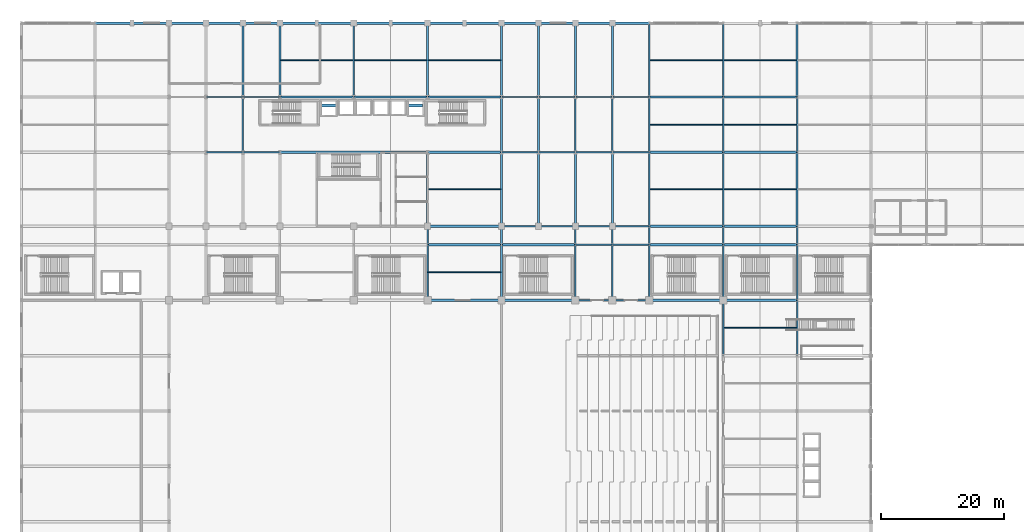
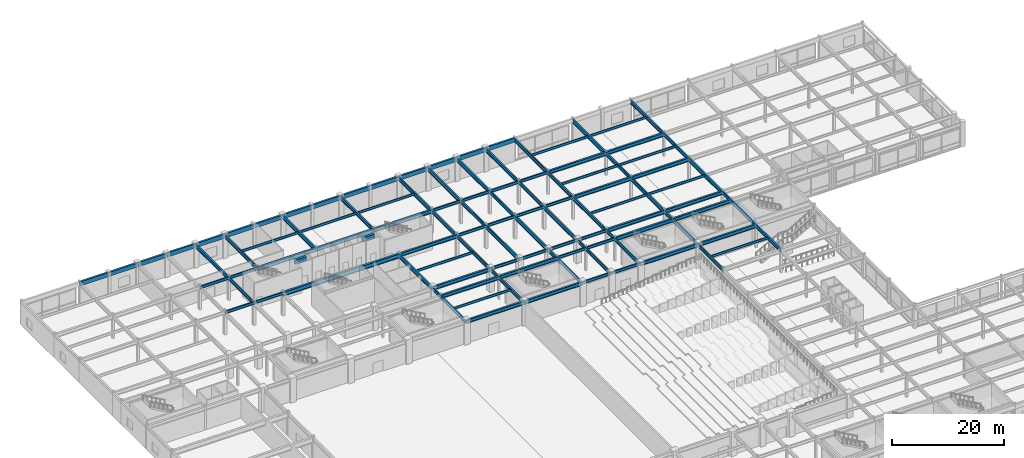
# One storey, part 35 of 100: 108 beams.
"""IFC4 building model written with IfcOpenShell, lengths in metres."""

import ifcopenshell
import ifcopenshell.guid

model = None  # the IFC model being written
_history = None  # IfcOwnerHistory: only IFC2X3 demands one
_inside = {}  # id of a spatial element -> (the spatial element, [elements in it])
_under = {}  # id of a project, library or spatial element -> (it, [spatial elements below it])
_declared = {}  # id of a project -> (the project, [libraries it declares])
_typed = {}  # id of a type object -> (the type object, [elements of that type])
_made_of = {}  # id of a material, layer set ... -> (it, [elements and type objects made of it])


def new_model(schema):
    """Start an empty IFC model of exactly this schema.

    Asked for "IFC4X3", IfcOpenShell would pick the latest addendum, in which some entities
    have other attributes; the version numbers below select the first issue.
    IFC2X3 requires an IfcOwnerHistory on every rooted entity: one is made here for all.
    """
    global model, _history
    if schema == "IFC4X3":
        model = ifcopenshell.file(schema_version=(4, 3, 0, 0))
    else:
        model = ifcopenshell.file(schema=schema)
    _inside.clear()
    _under.clear()
    _declared.clear()
    _typed.clear()
    _made_of.clear()
    _history = None
    if model.schema == "IFC2X3":
        org = make("IfcOrganization", Name="unknown")
        user = make(
            "IfcPersonAndOrganization",
            ThePerson=make("IfcPerson", FamilyName="unknown"),
            TheOrganization=org,
        )
        app = make(
            "IfcApplication",
            ApplicationDeveloper=org,
            Version="unknown",
            ApplicationFullName="unknown",
            ApplicationIdentifier="unknown",
        )
        _history = make(
            "IfcOwnerHistory",
            OwningUser=user,
            OwningApplication=app,
            ChangeAction="ADDED",
            CreationDate=0,
        )
    return model


def make(cls, **values):
    """One entity of the class cls with the attributes given. An attribute that is None is left unset."""
    return model.create_entity(
        cls, **{name: value for name, value in values.items() if value is not None}
    )


def rooted(cls, **values):
    """An entity with a GlobalId (a new one), such as an element, a storey or a relation."""
    return make(cls, GlobalId=ifcopenshell.guid.new(), OwnerHistory=_history, **values)


def si_unit(unit_type, name, prefix=None):
    """IfcSIUnit, for example si_unit("LENGTHUNIT", "METRE", prefix="MILLI")."""
    return make("IfcSIUnit", UnitType=unit_type, Prefix=prefix, Name=name)


def assignment(units):
    """IfcUnitAssignment: the units of a project."""
    return None if units is None else make("IfcUnitAssignment", Units=units)


def point(xyz):
    """IfcCartesianPoint."""
    return None if xyz is None else make("IfcCartesianPoint", Coordinates=xyz)


def direction(xyz):
    """IfcDirection."""
    return None if xyz is None else make("IfcDirection", DirectionRatios=xyz)


def frame(location, z_axis=None, x_axis=None):
    """IfcAxis2Placement3D, a coordinate frame: its origin and axes. An axis left out is left unset."""
    return make(
        "IfcAxis2Placement3D",
        Location=point(location),
        Axis=direction(z_axis),
        RefDirection=direction(x_axis),
    )


def frame_2d(location, x_axis=None):
    """IfcAxis2Placement2D, a coordinate frame in the plane: its origin and x axis."""
    return make(
        "IfcAxis2Placement2D", Location=point(location), RefDirection=direction(x_axis)
    )


def origin():
    """The frame at (0, 0, 0) with its axes left unset."""
    return frame((0.0, 0.0, 0.0))


def origin_2d():
    """The frame at (0, 0) in the plane with its x axis left unset."""
    return frame_2d((0.0, 0.0))


def place(relative_to, where):
    """IfcLocalPlacement: puts the frame where relative to a parent placement (None: the world)."""
    return make(
        "IfcLocalPlacement", PlacementRelTo=relative_to, RelativePlacement=where
    )


def context(
    kind, dimensions, precision=None, world=None, true_north=None, identifier=None
):
    """IfcGeometricRepresentationContext, for example the 3D "Model" context."""
    return make(
        "IfcGeometricRepresentationContext",
        ContextIdentifier=identifier,
        ContextType=kind,
        CoordinateSpaceDimension=dimensions,
        Precision=precision,
        WorldCoordinateSystem=world,
        TrueNorth=true_north,
    )


def subcontext(parent, identifier, kind, view, scale=None):
    """IfcGeometricRepresentationSubContext, for example "Body" below "Model"."""
    return make(
        "IfcGeometricRepresentationSubContext",
        ContextIdentifier=identifier,
        ContextType=kind,
        ParentContext=parent,
        TargetScale=scale,
        TargetView=view,
    )


def project(units=None, contexts=None):
    """IfcProject with its units and contexts."""
    return rooted(
        "IfcProject",
        Name="project",
        RepresentationContexts=contexts,
        UnitsInContext=assignment(units),
    )


def spatial(cls, under=None, at=None, **own):
    """A site, building, storey or space (cls), placed at a placement, below another one or the project."""
    s = rooted(cls, ObjectPlacement=at, **own)
    if under is not None:
        _under.setdefault(under.id(), (under, []))[1].append(s)
    return s


def profile(cls, at=None, kind="AREA", **sizes):
    """A parametric profile (cls). Its sizes go by their IFC names, for example OverallWidth=200.0."""
    return make(cls, ProfileType=kind, Position=at, **sizes)


def rectangle(**sizes):
    """IfcRectangleProfileDef."""
    return profile("IfcRectangleProfileDef", **sizes)


def i_section(**sizes):
    """IfcIShapeProfileDef."""
    return profile("IfcIShapeProfileDef", **sizes)


def extrude(swept, where, along, depth):
    """IfcExtrudedAreaSolid: the profile swept, set in the frame where, extruded along a direction by depth."""
    return make(
        "IfcExtrudedAreaSolid",
        SweptArea=swept,
        Position=where,
        ExtrudedDirection=direction(along),
        Depth=depth,
    )


def shape(context_of_items, identifier, shape_type, items):
    """IfcShapeRepresentation: the items that make up one representation, for example the "Body"."""
    return make(
        "IfcShapeRepresentation",
        ContextOfItems=context_of_items,
        RepresentationIdentifier=identifier,
        RepresentationType=shape_type,
        Items=items,
    )


def material(Name=None, Category=None):
    """IfcMaterial."""
    return make("IfcMaterial", Name=Name, Category=Category)


def material_profile(
    of_material, cross_section, Name=None, Category=None, Priority=None
):
    """IfcMaterialProfile: a cross section and its material."""
    return make(
        "IfcMaterialProfile",
        Name=Name,
        Material=of_material,
        Profile=cross_section,
        Priority=Priority,
        Category=Category,
    )


def profile_set(profiles, Name=None, composite=None):
    """IfcMaterialProfileSet."""
    return make(
        "IfcMaterialProfileSet",
        Name=Name,
        MaterialProfiles=profiles,
        CompositeProfile=composite,
    )


def made_of(thing, what):
    """Note that an element or type object is made of a material, layer set ...; save() writes the relation."""
    if what is not None:
        _made_of.setdefault(what.id(), (what, []))[1].append(thing)
    return thing


def type_object(cls, material=None, **own):
    """A type object (cls), such as IfcWallType, which elements share."""
    return made_of(rooted(cls, **own), material)


def element(
    cls,
    number,
    at=None,
    inside=None,
    cuts=None,
    type_object=None,
    material=None,
    context=None,
    identifier="Body",
    shape_type=None,
    held_by="IfcProductDefinitionShape",
    body=None,
    shapes=None,
    **own,
):
    """One element of the class cls, such as IfcWall. Its Tag is "e" and its number.

    at: its placement. inside: the storey or other place that contains it. cuts: it is an
    opening in that element (IfcRelVoidsElement). A single representation is given by context,
    identifier, shape_type and body (its items); several are given by shapes. held_by: the class
    of the entity that holds the representations. save() writes the other relations.
    """
    e = rooted(cls, Tag="e%d" % number, ObjectPlacement=at, **own)
    if body is not None:
        shapes = [shape(context, identifier, shape_type, body)]
    if shapes is not None:
        e.Representation = make(held_by, Representations=shapes)
    if inside is not None:
        _inside.setdefault(inside.id(), (inside, []))[1].append(e)
    if cuts is not None:
        rooted(
            "IfcRelVoidsElement", RelatingBuildingElement=cuts, RelatedOpeningElement=e
        )
    if type_object is not None:
        _typed.setdefault(type_object.id(), (type_object, []))[1].append(e)
    return made_of(e, material)


def aggregate(whole, parts):
    """IfcRelAggregates: a whole, such as a stair, and the parts it consists of."""
    return rooted("IfcRelAggregates", RelatingObject=whole, RelatedObjects=parts)


def save(model, path):
    """Write the relations noted so far, then the file.

    IfcRelAggregates (storeys below a building ...), IfcRelContainedInSpatialStructure (elements
    in a storey), IfcRelDefinesByType, IfcRelAssociatesMaterial and IfcRelDeclares: one each for
    every whole, place, type object, material and project.
    """
    for whole, parts in _under.values():
        aggregate(whole, parts)
    for where, things in _inside.values():
        rooted(
            "IfcRelContainedInSpatialStructure",
            RelatedElements=things,
            RelatingStructure=where,
        )
    for kind, things in _typed.values():
        rooted("IfcRelDefinesByType", RelatedObjects=things, RelatingType=kind)
    for what, things in _made_of.values():
        rooted("IfcRelAssociatesMaterial", RelatedObjects=things, RelatingMaterial=what)
    for by, libraries in _declared.values():
        rooted("IfcRelDeclares", RelatingContext=by, RelatedDefinitions=libraries)
    model.write(path)


model = new_model("IFC4")

# Units and contexts
model_context = context("Model", 3, precision=1e-05, world=origin(), true_north=direction((0.0, 1.0)))
body_context = subcontext(model_context, "Body", "Model", "MODEL_VIEW")
ifc_project = project(units=[si_unit("LENGTHUNIT", "METRE"), si_unit("AREAUNIT", "SQUARE_METRE"), si_unit("VOLUMEUNIT", "CUBIC_METRE"), si_unit("PLANEANGLEUNIT", "RADIAN"), si_unit("MASSUNIT", "GRAM", prefix="KILO")], contexts=[model_context])

# Site, building, storey
site_placement = place(None, origin())
site = spatial("IfcSite", under=ifc_project, at=site_placement, CompositionType="ELEMENT")
building_placement = place(site_placement, origin())
building = spatial("IfcBuilding", under=site, at=building_placement, Name="Kaldorvane Square Convention Centre", CompositionType="ELEMENT")
storey_placement = place(building_placement, frame((0.0, 0.0, 18.0)))
storey = spatial("IfcBuildingStorey", under=building, at=storey_placement, Name="L03", CompositionType="ELEMENT", Elevation=18.0)

# Beams
ifc_material_1 = material(Name="Steel ASTM A992 Gr. 50", Category="steel")
ifc_material_profile_1 = material_profile(ifc_material_1, i_section(OverallWidth=0.2303009033203125, OverallDepth=0.61749267578125, WebThickness=0.0131072998046875, FlangeThickness=0.0222015380859375, FilletRadius=0.0126953125, at=origin_2d()), Name="W24X94")
ifc_profile_set_1 = profile_set([ifc_material_profile_1], Name="Steel ASTM A992 Gr. 50")
beam_type_1 = type_object("IfcBeamType", Name="BM-GR-W24X94", PredefinedType="BEAM", material=ifc_profile_set_1)
for number, where, z_axis, x_axis, name in (
    (1, (90.0, 72.0, 4.7671966552734375), (1.0, 0.0, 0.0), (0.0, 1.0, 0.0), "Primary Girder (L03)"),
    (2, (96.0, 72.0, 4.7671966552734375), (1.0, 0.0, 0.0), (0.0, 1.0, 0.0), "Primary Girder (L03)"),
    (3, (90.0, 81.0, 4.7671966552734375), (1.0, 0.0, 0.0), (0.0, 1.0, 0.0), "Primary Girder (L03)"),
    (4, (96.0, 81.0, 4.7671966552734375), (1.0, 0.0, 0.0), (0.0, 1.0, 0.0), "Primary Girder (L03)"),
    (5, (78.0, 84.0, 4.7671966552734375), (1.0, 0.0, 0.0), (0.0, 1.0, 0.0), "Primary Girder (L03)"),
    (6, (84.0, 84.0, 4.7671966552734375), (1.0, 0.0, 0.0), (0.0, 1.0, 0.0), "Primary Girder (L03)"),
    (7, (90.0, 84.0, 4.7671966552734375), (1.0, 0.0, 0.0), (0.0, 1.0, 0.0), "Primary Girder (L03)"),
    (8, (96.0, 84.0, 4.7671966552734375), (1.0, 0.0, 0.0), (0.0, 1.0, 0.0), "Primary Girder (L03)"),
    (9, (30.0, 96.0, 4.7671966552734375), (1.0, 0.0, 0.0), (0.0, 1.0, 0.0), "Primary Girder (L03)"),
    (10, (36.0, 96.0, 4.7671966552734375), (1.0, 0.0, 0.0), (0.0, 1.0, 0.0), "Primary Girder (L03)"),
    (11, (78.0, 96.0, 4.7671966552734375), (1.0, 0.0, 0.0), (0.0, 1.0, 0.0), "Primary Girder (L03)"),
    (12, (84.0, 96.0, 4.7671966552734375), (1.0, 0.0, 0.0), (0.0, 1.0, 0.0), "Primary Girder (L03)"),
    (13, (90.0, 96.0, 4.7671966552734375), (1.0, 0.0, 0.0), (0.0, 1.0, 0.0), "Primary Girder (L03)"),
    (14, (96.0, 96.0, 4.7671966552734375), (1.0, 0.0, 0.0), (0.0, 1.0, 0.0), "Primary Girder (L03)"),
    (15, (30.0, 105.0, 4.7671966552734375), (1.0, 0.0, 0.0), (0.0, 1.0, 0.0), "Primary Girder (L03)"),
    (16, (36.0, 105.0, 4.7671966552734375), (1.0, 0.0, 0.0), (0.0, 1.0, 0.0), "Primary Girder (L03)"),
    (17, (78.0, 105.0, 4.7671966552734375), (1.0, 0.0, 0.0), (0.0, 1.0, 0.0), "Primary Girder (L03)"),
    (18, (84.0, 105.0, 4.7671966552734375), (1.0, 0.0, 0.0), (0.0, 1.0, 0.0), "Primary Girder (L03)"),
    (19, (90.0, 105.0, 4.7671966552734375), (1.0, 0.0, 0.0), (0.0, 1.0, 0.0), "Primary Girder (L03)"),
    (20, (96.0, 105.0, 4.7671966552734375), (1.0, 0.0, 0.0), (0.0, 1.0, 0.0), "Primary Girder (L03)"),
):
    element("IfcBeam", number, at=place(storey_placement, frame(where, z_axis=z_axis, x_axis=x_axis)), inside=storey, type_object=beam_type_1, Name=name, PredefinedType="BEAM", context=body_context, shape_type="SweptSolid", body=[
        extrude(i_section(OverallWidth=0.2303009033203125, OverallDepth=0.61749267578125, WebThickness=0.0131072998046875, FlangeThickness=0.0222015380859375, FilletRadius=0.0126953125, at=origin_2d()), origin(), (0.0, 0.0, 1.0), 6.0),
    ])
ifc_material_profile_2 = material_profile(ifc_material_1, i_section(OverallWidth=0.2666015625, OverallDepth=0.762298583984375, WebThickness=0.014404296875, FlangeThickness=0.0216064453125, FilletRadius=0.0164947509765625, at=origin_2d()), Name="W30X116")
ifc_profile_set_2 = profile_set([ifc_material_profile_2], Name="Steel ASTM A992 Gr. 50")
beam_type_2 = type_object("IfcBeamType", Name="BM-GR-W30X116", PredefinedType="BEAM", material=ifc_profile_set_2)
for number, where, z_axis, x_axis, name in (
    (21, (36.0, 96.0, 4.694793701171875), (0.0, 1.0, 0.0), (-1.0, 0.0, 0.0), "Transverse Girder (L03)"),
    (22, (66.0, 72.0, 4.694793701171875), (0.0, 1.0, 0.0), (-1.0, 0.0, 0.0), "Transverse Girder (L03)"),
):
    element("IfcBeam", number, at=place(storey_placement, frame(where, z_axis=z_axis, x_axis=x_axis)), inside=storey, type_object=beam_type_2, Name=name, PredefinedType="BEAM", context=body_context, shape_type="SweptSolid", body=[
        extrude(i_section(OverallWidth=0.2666015625, OverallDepth=0.762298583984375, WebThickness=0.014404296875, FlangeThickness=0.0216064453125, FilletRadius=0.0164947509765625, at=origin_2d()), origin(), (0.0, 0.0, 1.0), 9.0),
    ])
beam_1_placement = place(storey_placement, frame((66.0, 81.0, 4.694793701171875), z_axis=(0.0, 1.0, 0.0), x_axis=(-1.0, 0.0, 0.0)))
element("IfcBeam", 23, at=beam_1_placement, inside=storey, type_object=beam_type_2, Name="Transverse Girder (L03)", PredefinedType="BEAM", context=body_context, shape_type="SweptSolid", body=[
    extrude(i_section(OverallWidth=0.2666015625, OverallDepth=0.762298583984375, WebThickness=0.014404296875, FlangeThickness=0.0216064453125, FilletRadius=0.0164947509765625, at=origin_2d()), origin(), (0.0, 0.0, 1.0), 3.0),
])
beam_2_placement = place(storey_placement, frame((78.0, 72.0, 4.694793701171875), z_axis=(0.0, 1.0, 0.0), x_axis=(-1.0, 0.0, 0.0)))
element("IfcBeam", 24, at=beam_2_placement, inside=storey, type_object=beam_type_2, Name="Transverse Girder (L03)", PredefinedType="BEAM", context=body_context, shape_type="SweptSolid", body=[
    extrude(i_section(OverallWidth=0.2666015625, OverallDepth=0.762298583984375, WebThickness=0.014404296875, FlangeThickness=0.0216064453125, FilletRadius=0.0164947509765625, at=origin_2d()), origin(), (0.0, 0.0, 1.0), 9.0),
])
beam_3_placement = place(storey_placement, frame((78.0, 81.0, 4.694793701171875), z_axis=(0.0, 1.0, 0.0), x_axis=(-1.0, 0.0, 0.0)))
element("IfcBeam", 25, at=beam_3_placement, inside=storey, type_object=beam_type_2, Name="Transverse Girder (L03)", PredefinedType="BEAM", context=body_context, shape_type="SweptSolid", body=[
    extrude(i_section(OverallWidth=0.2666015625, OverallDepth=0.762298583984375, WebThickness=0.014404296875, FlangeThickness=0.0216064453125, FilletRadius=0.0164947509765625, at=origin_2d()), origin(), (0.0, 0.0, 1.0), 3.0),
])
for number, where, z_axis, x_axis, name in (
    (26, (78.0, 96.0, 4.694793701171875), (0.0, 1.0, 0.0), (-1.0, 0.0, 0.0), "Transverse Girder (L03)"),
    (27, (84.0, 96.0, 4.694793701171875), (0.0, 1.0, 0.0), (-1.0, 0.0, 0.0), "Transverse Girder (L03)"),
    (28, (90.0, 72.0, 4.694793701171875), (0.0, 1.0, 0.0), (-1.0, 0.0, 0.0), "Transverse Girder (L03)"),
):
    element("IfcBeam", number, at=place(storey_placement, frame(where, z_axis=z_axis, x_axis=x_axis)), inside=storey, type_object=beam_type_2, Name=name, PredefinedType="BEAM", context=body_context, shape_type="SweptSolid", body=[
        extrude(i_section(OverallWidth=0.2666015625, OverallDepth=0.762298583984375, WebThickness=0.014404296875, FlangeThickness=0.0216064453125, FilletRadius=0.0164947509765625, at=origin_2d()), origin(), (0.0, 0.0, 1.0), 9.0),
    ])
beam_4_placement = place(storey_placement, frame((90.0, 81.0, 4.694793701171875), z_axis=(0.0, 1.0, 0.0), x_axis=(-1.0, 0.0, 0.0)))
element("IfcBeam", 29, at=beam_4_placement, inside=storey, type_object=beam_type_2, Name="Transverse Girder (L03)", PredefinedType="BEAM", context=body_context, shape_type="SweptSolid", body=[
    extrude(i_section(OverallWidth=0.2666015625, OverallDepth=0.762298583984375, WebThickness=0.014404296875, FlangeThickness=0.0216064453125, FilletRadius=0.0164947509765625, at=origin_2d()), origin(), (0.0, 0.0, 1.0), 3.0),
])
for number, where, z_axis, x_axis, name in (
    (30, (90.0, 96.0, 4.694793701171875), (0.0, 1.0, 0.0), (-1.0, 0.0, 0.0), "Transverse Girder (L03)"),
    (31, (96.0, 72.0, 4.694793701171875), (0.0, 1.0, 0.0), (-1.0, 0.0, 0.0), "Transverse Girder (L03)"),
):
    element("IfcBeam", number, at=place(storey_placement, frame(where, z_axis=z_axis, x_axis=x_axis)), inside=storey, type_object=beam_type_2, Name=name, PredefinedType="BEAM", context=body_context, shape_type="SweptSolid", body=[
        extrude(i_section(OverallWidth=0.2666015625, OverallDepth=0.762298583984375, WebThickness=0.014404296875, FlangeThickness=0.0216064453125, FilletRadius=0.0164947509765625, at=origin_2d()), origin(), (0.0, 0.0, 1.0), 9.0),
    ])
beam_5_placement = place(storey_placement, frame((96.0, 81.0, 4.694793701171875), z_axis=(0.0, 1.0, 0.0), x_axis=(-1.0, 0.0, 0.0)))
element("IfcBeam", 32, at=beam_5_placement, inside=storey, type_object=beam_type_2, Name="Transverse Girder (L03)", PredefinedType="BEAM", context=body_context, shape_type="SweptSolid", body=[
    extrude(i_section(OverallWidth=0.2666015625, OverallDepth=0.762298583984375, WebThickness=0.014404296875, FlangeThickness=0.0216064453125, FilletRadius=0.0164947509765625, at=origin_2d()), origin(), (0.0, 0.0, 1.0), 3.0),
])
for number, where, z_axis, x_axis, name in (
    (33, (96.0, 96.0, 4.694793701171875), (0.0, 1.0, 0.0), (-1.0, 0.0, 0.0), "Transverse Girder (L03)"),
    (34, (102.0, 72.0, 4.694793701171875), (0.0, 1.0, 0.0), (-1.0, 0.0, 0.0), "Transverse Girder (L03)"),
):
    element("IfcBeam", number, at=place(storey_placement, frame(where, z_axis=z_axis, x_axis=x_axis)), inside=storey, type_object=beam_type_2, Name=name, PredefinedType="BEAM", context=body_context, shape_type="SweptSolid", body=[
        extrude(i_section(OverallWidth=0.2666015625, OverallDepth=0.762298583984375, WebThickness=0.014404296875, FlangeThickness=0.0216064453125, FilletRadius=0.0164947509765625, at=origin_2d()), origin(), (0.0, 0.0, 1.0), 9.0),
    ])
beam_6_placement = place(storey_placement, frame((102.0, 81.0, 4.694793701171875), z_axis=(0.0, 1.0, 0.0), x_axis=(-1.0, 0.0, 0.0)))
element("IfcBeam", 35, at=beam_6_placement, inside=storey, type_object=beam_type_2, Name="Transverse Girder (L03)", PredefinedType="BEAM", context=body_context, shape_type="SweptSolid", body=[
    extrude(i_section(OverallWidth=0.2666015625, OverallDepth=0.762298583984375, WebThickness=0.014404296875, FlangeThickness=0.0216064453125, FilletRadius=0.0164947509765625, at=origin_2d()), origin(), (0.0, 0.0, 1.0), 3.0),
])
for number, where, z_axis, x_axis, name in (
    (36, (102.0, 96.0, 4.694793701171875), (0.0, 1.0, 0.0), (-1.0, 0.0, 0.0), "Transverse Girder (L03)"),
    (37, (114.0, 63.0, 4.694793701171875), (0.0, 1.0, 0.0), (-1.0, 0.0, 0.0), "Transverse Girder (L03)"),
    (38, (114.0, 72.0, 4.694793701171875), (0.0, 1.0, 0.0), (-1.0, 0.0, 0.0), "Transverse Girder (L03)"),
):
    element("IfcBeam", number, at=place(storey_placement, frame(where, z_axis=z_axis, x_axis=x_axis)), inside=storey, type_object=beam_type_2, Name=name, PredefinedType="BEAM", context=body_context, shape_type="SweptSolid", body=[
        extrude(i_section(OverallWidth=0.2666015625, OverallDepth=0.762298583984375, WebThickness=0.014404296875, FlangeThickness=0.0216064453125, FilletRadius=0.0164947509765625, at=origin_2d()), origin(), (0.0, 0.0, 1.0), 9.0),
    ])
beam_7_placement = place(storey_placement, frame((114.0, 81.0, 4.694793701171875), z_axis=(0.0, 1.0, 0.0), x_axis=(-1.0, 0.0, 0.0)))
element("IfcBeam", 39, at=beam_7_placement, inside=storey, type_object=beam_type_2, Name="Transverse Girder (L03)", PredefinedType="BEAM", context=body_context, shape_type="SweptSolid", body=[
    extrude(i_section(OverallWidth=0.2666015625, OverallDepth=0.762298583984375, WebThickness=0.014404296875, FlangeThickness=0.0216064453125, FilletRadius=0.0164947509765625, at=origin_2d()), origin(), (0.0, 0.0, 1.0), 3.0),
])
for number, where, z_axis, x_axis, name in (
    (40, (114.0, 96.0, 4.694793701171875), (0.0, 1.0, 0.0), (-1.0, 0.0, 0.0), "Transverse Girder (L03)"),
    (41, (126.0, 63.0, 4.694793701171875), (0.0, 1.0, 0.0), (-1.0, 0.0, 0.0), "Transverse Girder (L03)"),
    (42, (126.0, 72.0, 4.694793701171875), (0.0, 1.0, 0.0), (-1.0, 0.0, 0.0), "Transverse Girder (L03)"),
):
    element("IfcBeam", number, at=place(storey_placement, frame(where, z_axis=z_axis, x_axis=x_axis)), inside=storey, type_object=beam_type_2, Name=name, PredefinedType="BEAM", context=body_context, shape_type="SweptSolid", body=[
        extrude(i_section(OverallWidth=0.2666015625, OverallDepth=0.762298583984375, WebThickness=0.014404296875, FlangeThickness=0.0216064453125, FilletRadius=0.0164947509765625, at=origin_2d()), origin(), (0.0, 0.0, 1.0), 9.0),
    ])
beam_8_placement = place(storey_placement, frame((126.0, 81.0, 4.694793701171875), z_axis=(0.0, 1.0, 0.0), x_axis=(-1.0, 0.0, 0.0)))
element("IfcBeam", 43, at=beam_8_placement, inside=storey, type_object=beam_type_2, Name="Transverse Girder (L03)", PredefinedType="BEAM", context=body_context, shape_type="SweptSolid", body=[
    extrude(i_section(OverallWidth=0.2666015625, OverallDepth=0.762298583984375, WebThickness=0.014404296875, FlangeThickness=0.0216064453125, FilletRadius=0.0164947509765625, at=origin_2d()), origin(), (0.0, 0.0, 1.0), 3.0),
])
beam_9_placement = place(storey_placement, frame((126.0, 96.0, 4.694793701171875), z_axis=(0.0, 1.0, 0.0), x_axis=(-1.0, 0.0, 0.0)))
element("IfcBeam", 44, at=beam_9_placement, inside=storey, type_object=beam_type_2, Name="Transverse Girder (L03)", PredefinedType="BEAM", context=body_context, shape_type="SweptSolid", body=[
    extrude(i_section(OverallWidth=0.2666015625, OverallDepth=0.762298583984375, WebThickness=0.014404296875, FlangeThickness=0.0216064453125, FilletRadius=0.0164947509765625, at=origin_2d()), origin(), (0.0, 0.0, 1.0), 9.0),
])
ifc_material_profile_3 = material_profile(ifc_material_1, i_section(OverallWidth=0.380706787109375, OverallDepth=0.773193359375, WebThickness=0.0166015625, FlangeThickness=0.027099609375, FilletRadius=0.0164947509765625, at=origin_2d()), Name="W30X173")
ifc_profile_set_3 = profile_set([ifc_material_profile_3], Name="Steel ASTM A992 Gr. 50")
beam_type_3 = type_object("IfcBeamType", Name="BM-GR-W30X173", PredefinedType="BEAM", material=ifc_profile_set_3)
for number, where, z_axis, x_axis, name in (
    (45, (66.0, 72.0, 4.6894073486328125), (1.0, 0.0, 0.0), (0.0, 1.0, 0.0), "Primary Girder (L03)"),
    (46, (78.0, 72.0, 4.6894073486328125), (1.0, 0.0, 0.0), (0.0, 1.0, 0.0), "Primary Girder (L03)"),
    (47, (102.0, 72.0, 4.6894073486328125), (1.0, 0.0, 0.0), (0.0, 1.0, 0.0), "Primary Girder (L03)"),
    (48, (114.0, 72.0, 4.6894073486328125), (1.0, 0.0, 0.0), (0.0, 1.0, 0.0), "Primary Girder (L03)"),
    (49, (66.0, 81.0, 4.6894073486328125), (1.0, 0.0, 0.0), (0.0, 1.0, 0.0), "Primary Girder (L03)"),
    (50, (78.0, 81.0, 4.6894073486328125), (1.0, 0.0, 0.0), (0.0, 1.0, 0.0), "Primary Girder (L03)"),
    (51, (102.0, 81.0, 4.6894073486328125), (1.0, 0.0, 0.0), (0.0, 1.0, 0.0), "Primary Girder (L03)"),
    (52, (114.0, 81.0, 4.6894073486328125), (1.0, 0.0, 0.0), (0.0, 1.0, 0.0), "Primary Girder (L03)"),
    (53, (66.0, 84.0, 4.6894073486328125), (1.0, 0.0, 0.0), (0.0, 1.0, 0.0), "Primary Girder (L03)"),
    (54, (102.0, 84.0, 4.6894073486328125), (1.0, 0.0, 0.0), (0.0, 1.0, 0.0), "Primary Girder (L03)"),
    (55, (114.0, 84.0, 4.6894073486328125), (1.0, 0.0, 0.0), (0.0, 1.0, 0.0), "Primary Girder (L03)"),
    (56, (66.0, 96.0, 4.6894073486328125), (1.0, 0.0, 0.0), (0.0, 1.0, 0.0), "Primary Girder (L03)"),
    (57, (102.0, 96.0, 4.6894073486328125), (1.0, 0.0, 0.0), (0.0, 1.0, 0.0), "Primary Girder (L03)"),
    (58, (114.0, 96.0, 4.6894073486328125), (1.0, 0.0, 0.0), (0.0, 1.0, 0.0), "Primary Girder (L03)"),
    (59, (42.0, 105.0, 4.6894073486328125), (1.0, 0.0, 0.0), (0.0, 1.0, 0.0), "Primary Girder (L03)"),
    (60, (54.0, 105.0, 4.6894073486328125), (1.0, 0.0, 0.0), (0.0, 1.0, 0.0), "Primary Girder (L03)"),
    (61, (66.0, 105.0, 4.6894073486328125), (1.0, 0.0, 0.0), (0.0, 1.0, 0.0), "Primary Girder (L03)"),
    (62, (102.0, 105.0, 4.6894073486328125), (1.0, 0.0, 0.0), (0.0, 1.0, 0.0), "Primary Girder (L03)"),
    (63, (114.0, 105.0, 4.6894073486328125), (1.0, 0.0, 0.0), (0.0, 1.0, 0.0), "Primary Girder (L03)"),
):
    element("IfcBeam", number, at=place(storey_placement, frame(where, z_axis=z_axis, x_axis=x_axis)), inside=storey, type_object=beam_type_3, Name=name, PredefinedType="BEAM", context=body_context, shape_type="SweptSolid", body=[
        extrude(i_section(OverallWidth=0.380706787109375, OverallDepth=0.773193359375, WebThickness=0.0166015625, FlangeThickness=0.027099609375, FilletRadius=0.0164947509765625, at=origin_2d()), origin(), (0.0, 0.0, 1.0), 12.0),
    ])
ifc_material_profile_4 = material_profile(ifc_material_1, i_section(OverallWidth=0.292999267578125, OverallDepth=0.845794677734375, WebThickness=0.0153961181640625, FlangeThickness=0.0243988037109375, FilletRadius=0.0178070068359375, at=origin_2d()), Name="W33X141")
ifc_profile_set_4 = profile_set([ifc_material_profile_4], Name="Steel ASTM A992 Gr. 50")
beam_type_4 = type_object("IfcBeamType", Name="BM-GR-W33X141", PredefinedType="BEAM", material=ifc_profile_set_4)
for number, where, z_axis, x_axis, name in (
    (64, (36.0, 105.0, 4.653106689453125), (0.0, 1.0, 0.0), (-1.0, 0.0, 0.0), "Transverse Girder (L03)"),
    (65, (42.0, 105.0, 4.653106689453125), (0.0, 1.0, 0.0), (-1.0, 0.0, 0.0), "Transverse Girder (L03)"),
    (66, (54.0, 105.0, 4.653106689453125), (0.0, 1.0, 0.0), (-1.0, 0.0, 0.0), "Transverse Girder (L03)"),
    (67, (66.0, 84.0, 4.653106689453125), (0.0, 1.0, 0.0), (-1.0, 0.0, 0.0), "Transverse Girder (L03)"),
    (68, (66.0, 105.0, 4.653106689453125), (0.0, 1.0, 0.0), (-1.0, 0.0, 0.0), "Transverse Girder (L03)"),
    (69, (78.0, 84.0, 4.653106689453125), (0.0, 1.0, 0.0), (-1.0, 0.0, 0.0), "Transverse Girder (L03)"),
    (70, (78.0, 105.0, 4.653106689453125), (0.0, 1.0, 0.0), (-1.0, 0.0, 0.0), "Transverse Girder (L03)"),
    (71, (84.0, 84.0, 4.653106689453125), (0.0, 1.0, 0.0), (-1.0, 0.0, 0.0), "Transverse Girder (L03)"),
    (72, (84.0, 105.0, 4.653106689453125), (0.0, 1.0, 0.0), (-1.0, 0.0, 0.0), "Transverse Girder (L03)"),
    (73, (90.0, 84.0, 4.653106689453125), (0.0, 1.0, 0.0), (-1.0, 0.0, 0.0), "Transverse Girder (L03)"),
    (74, (90.0, 105.0, 4.653106689453125), (0.0, 1.0, 0.0), (-1.0, 0.0, 0.0), "Transverse Girder (L03)"),
    (75, (96.0, 84.0, 4.653106689453125), (0.0, 1.0, 0.0), (-1.0, 0.0, 0.0), "Transverse Girder (L03)"),
    (76, (96.0, 105.0, 4.653106689453125), (0.0, 1.0, 0.0), (-1.0, 0.0, 0.0), "Transverse Girder (L03)"),
    (77, (102.0, 84.0, 4.653106689453125), (0.0, 1.0, 0.0), (-1.0, 0.0, 0.0), "Transverse Girder (L03)"),
    (78, (102.0, 105.0, 4.653106689453125), (0.0, 1.0, 0.0), (-1.0, 0.0, 0.0), "Transverse Girder (L03)"),
    (79, (114.0, 84.0, 4.653106689453125), (0.0, 1.0, 0.0), (-1.0, 0.0, 0.0), "Transverse Girder (L03)"),
    (80, (114.0, 105.0, 4.653106689453125), (0.0, 1.0, 0.0), (-1.0, 0.0, 0.0), "Transverse Girder (L03)"),
    (81, (126.0, 84.0, 4.653106689453125), (0.0, 1.0, 0.0), (-1.0, 0.0, 0.0), "Transverse Girder (L03)"),
    (82, (126.0, 105.0, 4.653106689453125), (0.0, 1.0, 0.0), (-1.0, 0.0, 0.0), "Transverse Girder (L03)"),
):
    element("IfcBeam", number, at=place(storey_placement, frame(where, z_axis=z_axis, x_axis=x_axis)), inside=storey, type_object=beam_type_4, Name=name, PredefinedType="BEAM", context=body_context, shape_type="SweptSolid", body=[
        extrude(i_section(OverallWidth=0.292999267578125, OverallDepth=0.845794677734375, WebThickness=0.0153961181640625, FlangeThickness=0.0243988037109375, FilletRadius=0.0178070068359375, at=origin_2d()), origin(), (0.0, 0.0, 1.0), 12.0),
    ])
ifc_material_profile_5 = material_profile(ifc_material_1, i_section(OverallWidth=0.418304443359375, OverallDepth=0.926605224609375, WebThickness=0.0193023681640625, FlangeThickness=0.0319976806640625, FilletRadius=0.0240936279296875, at=origin_2d()), Name="W36X231")
ifc_profile_set_5 = profile_set([ifc_material_profile_5], Name="Steel ASTM A992 Gr. 50")
beam_type_5 = type_object("IfcBeamType", Name="BM-GR-W36X231", PredefinedType="BEAM", material=ifc_profile_set_5)
beam_10_placement = place(storey_placement, frame((42.0, 96.0, 4.612701416015625), z_axis=(1.0, 0.0, 0.0), x_axis=(0.0, 1.0, 0.0)))
element("IfcBeam", 83, at=beam_10_placement, inside=storey, type_object=beam_type_5, Name="Primary Girder (L03)", PredefinedType="BEAM", context=body_context, shape_type="SweptSolid", body=[
    extrude(i_section(OverallWidth=0.418304443359375, OverallDepth=0.926605224609375, WebThickness=0.0193023681640625, FlangeThickness=0.0319976806640625, FilletRadius=0.0240936279296875, at=origin_2d()), origin(), (0.0, 0.0, 1.0), 24.0),
])
ifc_material_profile_6 = material_profile(ifc_material_1, i_section(OverallWidth=0.1658935546875, OverallDepth=0.5290985107421875, WebThickness=0.00970458984375, FlangeThickness=0.0135955810546875, FilletRadius=0.0126953125, at=origin_2d()), Name="W21X50")
ifc_profile_set_6 = profile_set([ifc_material_profile_6], Name="Steel ASTM A992 Gr. 50")
beam_type_6 = type_object("IfcBeamType", Name="BM-JS-W21X50", PredefinedType="JOIST", material=ifc_profile_set_6)
for number, where, z_axis, x_axis, name in (
    (84, (114.13330078125, 67.5, 4.8114013671875), (1.0, 0.0, 0.0), (0.0, 1.0, 0.0), "Secondary Floor Joist (L03)"),
    (85, (66.13330078125, 76.5, 4.8114013671875), (1.0, 0.0, 0.0), (0.0, 1.0, 0.0), "Secondary Floor Joist (L03)"),
):
    element("IfcBeam", number, at=place(storey_placement, frame(where, z_axis=z_axis, x_axis=x_axis)), inside=storey, type_object=beam_type_6, Name=name, PredefinedType="JOIST", context=body_context, shape_type="SweptSolid", body=[
        extrude(i_section(OverallWidth=0.1658935546875, OverallDepth=0.5290985107421875, WebThickness=0.00970458984375, FlangeThickness=0.0135955810546875, FilletRadius=0.0126953125, at=origin_2d()), origin(), (0.0, 0.0, 1.0), 11.7333984375),
    ])
for number, where, z_axis, x_axis, name in (
    (86, (66.14649963378906, 90.0, 4.8114013671875), (1.0, 0.0, 0.0), (0.0, 1.0, 0.0), "Secondary Floor Joist (L03)"),
    (87, (102.14649963378906, 90.0, 4.8114013671875), (1.0, 0.0, 0.0), (0.0, 1.0, 0.0), "Secondary Floor Joist (L03)"),
    (88, (114.14649963378906, 90.0, 4.8114013671875), (1.0, 0.0, 0.0), (0.0, 1.0, 0.0), "Secondary Floor Joist (L03)"),
):
    element("IfcBeam", number, at=place(storey_placement, frame(where, z_axis=z_axis, x_axis=x_axis)), inside=storey, type_object=beam_type_6, Name=name, PredefinedType="JOIST", context=body_context, shape_type="SweptSolid", body=[
        extrude(i_section(OverallWidth=0.1658935546875, OverallDepth=0.5290985107421875, WebThickness=0.00970458984375, FlangeThickness=0.0135955810546875, FilletRadius=0.0126953125, at=origin_2d()), origin(), (0.0, 0.0, 1.0), 11.707000732421875),
    ])
for number, where, z_axis, x_axis, name in (
    (89, (102.13330078125, 100.5, 4.8114013671875), (1.0, 0.0, 0.0), (0.0, 1.0, 0.0), "Secondary Floor Joist (L03)"),
    (90, (114.13330078125, 100.5, 4.8114013671875), (1.0, 0.0, 0.0), (0.0, 1.0, 0.0), "Secondary Floor Joist (L03)"),
):
    element("IfcBeam", number, at=place(storey_placement, frame(where, z_axis=z_axis, x_axis=x_axis)), inside=storey, type_object=beam_type_6, Name=name, PredefinedType="JOIST", context=body_context, shape_type="SweptSolid", body=[
        extrude(i_section(OverallWidth=0.1658935546875, OverallDepth=0.5290985107421875, WebThickness=0.00970458984375, FlangeThickness=0.0135955810546875, FilletRadius=0.0126953125, at=origin_2d()), origin(), (0.0, 0.0, 1.0), 11.7333984375),
    ])
for number, where, z_axis, x_axis, name in (
    (91, (42.14649963378906, 111.0, 4.8114013671875), (1.0, 0.0, 0.0), (0.0, 1.0, 0.0), "Secondary Floor Joist (L03)"),
    (92, (54.14649963378906, 111.0, 4.8114013671875), (1.0, 0.0, 0.0), (0.0, 1.0, 0.0), "Secondary Floor Joist (L03)"),
    (93, (66.14649963378906, 111.0, 4.8114013671875), (1.0, 0.0, 0.0), (0.0, 1.0, 0.0), "Secondary Floor Joist (L03)"),
    (94, (102.14649963378906, 111.0, 4.8114013671875), (1.0, 0.0, 0.0), (0.0, 1.0, 0.0), "Secondary Floor Joist (L03)"),
    (95, (114.14649963378906, 111.0, 4.8114013671875), (1.0, 0.0, 0.0), (0.0, 1.0, 0.0), "Secondary Floor Joist (L03)"),
):
    element("IfcBeam", number, at=place(storey_placement, frame(where, z_axis=z_axis, x_axis=x_axis)), inside=storey, type_object=beam_type_6, Name=name, PredefinedType="JOIST", context=body_context, shape_type="SweptSolid", body=[
        extrude(i_section(OverallWidth=0.1658935546875, OverallDepth=0.5290985107421875, WebThickness=0.00970458984375, FlangeThickness=0.0135955810546875, FilletRadius=0.0126953125, at=origin_2d()), origin(), (0.0, 0.0, 1.0), 11.707000732421875),
    ])
ifc_material_2 = material(Name="Concrete f'c = 42 MPa (Normalweight)", Category="concrete")
ifc_material_profile_7 = material_profile(ifc_material_2, rectangle(XDim=0.5, YDim=0.899993896484375, at=origin_2d()), Name="RCLN900X500")
ifc_profile_set_7 = profile_set([ifc_material_profile_7], Name="Concrete f'c = 42 MPa (Normalweight)")
beam_type_7 = type_object("IfcBeamType", Name="BM-LN-RC900", PredefinedType="LINTEL", material=ifc_profile_set_7)
for number, where, z_axis, x_axis, name in (
    (96, (48.80000305175781, 103.60000610351562, 4.6280059814453125), (1.0, 0.0, 0.0), (0.0, 1.0, 0.0), "Core Coupling Lintel W (L03)"),
    (97, (62.80000305175781, 103.60000610351562, 4.6280059814453125), (1.0, 0.0, 0.0), (0.0, 1.0, 0.0), "Core Coupling Lintel E (L03)"),
):
    element("IfcBeam", number, at=place(storey_placement, frame(where, z_axis=z_axis, x_axis=x_axis)), inside=storey, type_object=beam_type_7, Name=name, PredefinedType="LINTEL", context=body_context, shape_type="SweptSolid", body=[
        extrude(rectangle(XDim=0.5, YDim=0.899993896484375, at=origin_2d()), origin(), (0.0, 0.0, 1.0), 2.399993896484375),
    ])
ifc_material_profile_8 = material_profile(ifc_material_2, rectangle(XDim=0.399993896484375, YDim=0.899993896484375, at=origin_2d()), Name="RCSP900X400")
ifc_profile_set_8 = profile_set([ifc_material_profile_8], Name="Concrete f'c = 42 MPa (Normalweight)")
beam_type_8 = type_object("IfcBeamType", Name="BM-SP-RC900", PredefinedType="SPANDREL", material=ifc_profile_set_8)
beam_11_placement = place(storey_placement, frame((12.0, 117.0, 4.626007080078125), z_axis=(1.0, 0.0, 0.0), x_axis=(0.0, 1.0, 0.0)))
element("IfcBeam", 98, at=beam_11_placement, inside=storey, type_object=beam_type_8, Name="Perimeter Spandrel (L03)", PredefinedType="SPANDREL", context=body_context, shape_type="SweptSolid", body=[
    extrude(rectangle(XDim=0.399993896484375, YDim=0.899993896484375, at=origin_2d()), origin(), (0.0, 0.0, 1.0), 12.0),
])
for number, where, z_axis, x_axis, name in (
    (99, (24.0, 117.0, 4.626007080078125), (1.0, 0.0, 0.0), (0.0, 1.0, 0.0), "Perimeter Spandrel (L03)"),
    (100, (30.0, 117.0, 4.626007080078125), (1.0, 0.0, 0.0), (0.0, 1.0, 0.0), "Perimeter Spandrel (L03)"),
    (101, (36.0, 117.0, 4.626007080078125), (1.0, 0.0, 0.0), (0.0, 1.0, 0.0), "Perimeter Spandrel (L03)"),
):
    element("IfcBeam", number, at=place(storey_placement, frame(where, z_axis=z_axis, x_axis=x_axis)), inside=storey, type_object=beam_type_8, Name=name, PredefinedType="SPANDREL", context=body_context, shape_type="SweptSolid", body=[
        extrude(rectangle(XDim=0.399993896484375, YDim=0.899993896484375, at=origin_2d()), origin(), (0.0, 0.0, 1.0), 6.0),
    ])
for number, where, z_axis, x_axis, name in (
    (102, (42.0, 117.0, 4.626007080078125), (1.0, 0.0, 0.0), (0.0, 1.0, 0.0), "Perimeter Spandrel (L03)"),
    (103, (54.0, 117.0, 4.626007080078125), (1.0, 0.0, 0.0), (0.0, 1.0, 0.0), "Perimeter Spandrel (L03)"),
    (104, (66.0, 117.0, 4.626007080078125), (1.0, 0.0, 0.0), (0.0, 1.0, 0.0), "Perimeter Spandrel (L03)"),
):
    element("IfcBeam", number, at=place(storey_placement, frame(where, z_axis=z_axis, x_axis=x_axis)), inside=storey, type_object=beam_type_8, Name=name, PredefinedType="SPANDREL", context=body_context, shape_type="SweptSolid", body=[
        extrude(rectangle(XDim=0.399993896484375, YDim=0.899993896484375, at=origin_2d()), origin(), (0.0, 0.0, 1.0), 12.0),
    ])
for number, where, z_axis, x_axis, name in (
    (105, (78.0, 117.0, 4.626007080078125), (1.0, 0.0, 0.0), (0.0, 1.0, 0.0), "Perimeter Spandrel (L03)"),
    (106, (84.0, 117.0, 4.626007080078125), (1.0, 0.0, 0.0), (0.0, 1.0, 0.0), "Perimeter Spandrel (L03)"),
    (107, (90.0, 117.0, 4.626007080078125), (1.0, 0.0, 0.0), (0.0, 1.0, 0.0), "Perimeter Spandrel (L03)"),
    (108, (96.0, 117.0, 4.626007080078125), (1.0, 0.0, 0.0), (0.0, 1.0, 0.0), "Perimeter Spandrel (L03)"),
):
    element("IfcBeam", number, at=place(storey_placement, frame(where, z_axis=z_axis, x_axis=x_axis)), inside=storey, type_object=beam_type_8, Name=name, PredefinedType="SPANDREL", context=body_context, shape_type="SweptSolid", body=[
        extrude(rectangle(XDim=0.399993896484375, YDim=0.899993896484375, at=origin_2d()), origin(), (0.0, 0.0, 1.0), 6.0),
    ])

save(model, "model.ifc")
